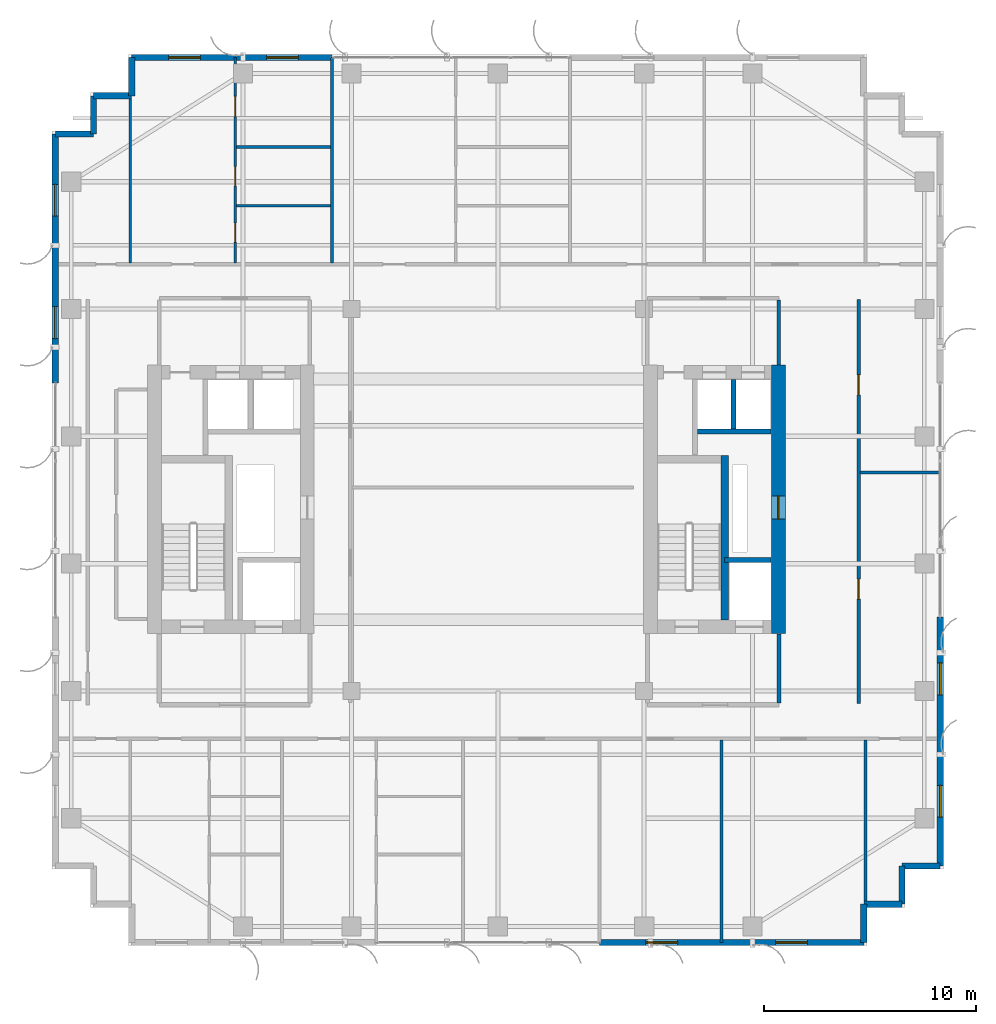
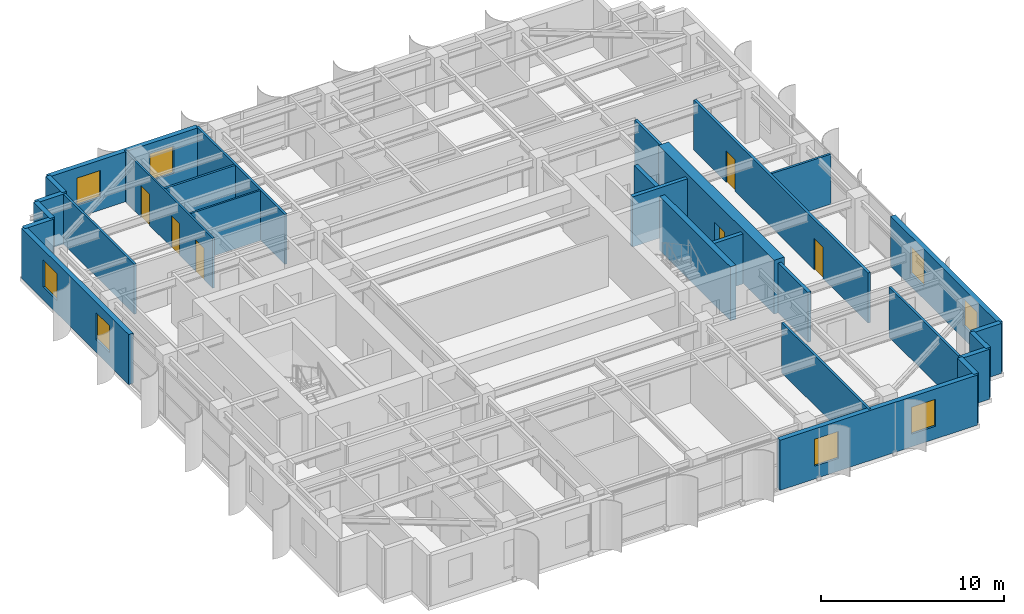
# One storey, part 18 of 22: 28 walls, 8 windows, 6 doors, 14 openings.
"""IFC4 building model written with IfcOpenShell, lengths in metres."""

from ifc_helpers import new_model, si_unit, direction, frame, frame_2d, origin, place, context, subcontext, project, spatial, rectangle, extrude, source, transform, mapped, material, layer, layer_set, type_object, element, fill, save


model = new_model("IFC4")

# Units and contexts
model_context = context("Model", 3, precision=1e-05, world=origin(), true_north=direction((0.0, 1.0)))
body_context = subcontext(model_context, "Body", "Model", "MODEL_VIEW")
ifc_project = project(units=[si_unit("LENGTHUNIT", "METRE"), si_unit("AREAUNIT", "SQUARE_METRE"), si_unit("VOLUMEUNIT", "CUBIC_METRE"), si_unit("PLANEANGLEUNIT", "RADIAN"), si_unit("MASSUNIT", "GRAM", prefix="KILO")], contexts=[model_context])

# Site, building, storey
site_placement = place(None, origin())
site = spatial("IfcSite", under=ifc_project, at=site_placement, CompositionType="ELEMENT")
building_placement = place(site_placement, origin())
building = spatial("IfcBuilding", under=site, at=building_placement, Name="Khoralis Quay Care Tower", CompositionType="ELEMENT")
storey_placement = place(building_placement, frame((0.0, 0.0, 170.10009765625)))
storey = spatial("IfcBuildingStorey", under=building, at=storey_placement, Name="L44", CompositionType="ELEMENT", Elevation=170.10009765625)

# Wall
ifc_material_1 = material(Name="Gypsum plasterboard on acoustic metal stud")
ifc_layer_1 = layer(ifc_material_1, 0.199951171875)
ifc_layer_set_1 = layer_set([ifc_layer_1], Name="Gypsum plasterboard on acoustic metal stud")
wall_type_1 = type_object("IfcWallType", Name="WL-COMP-200", PredefinedType="PARTITIONING", material=ifc_layer_set_1)
wall_1_placement = place(storey_placement, frame((37.25, 11.445068359375, 0.0), z_axis=(0.0, 0.0, 1.0), x_axis=(0.0, 1.0, 0.0)))
element("IfcWall", 1, at=wall_1_placement, inside=storey, type_object=wall_type_1, Name="L44 East Firefighting Lobby East Wall", PredefinedType="PARTITIONING", context=body_context, shape_type="SweptSolid", body=[
    extrude(rectangle(XDim=3.23486328125, YDim=0.199951171875, at=frame_2d((1.617431640625, 0.0))), origin(), (0.0, 0.0, 1.0), 3.33984375),
])

# Wall, opening, door
ifc_material_2 = material(Name="Concrete C65/80", Category="concrete")
ifc_layer_2 = layer(ifc_material_2, 0.64990234375)
ifc_layer_set_2 = layer_set([ifc_layer_2], Name="Concrete C65/80")
wall_type_2 = type_object("IfcWallType", Name="WL-CORE-650", PredefinedType="SHEAR", material=ifc_layer_set_2)
wall_2_placement = place(storey_placement, frame((37.22509765625, 14.699951171875, 0.0), z_axis=(0.0, 0.0, 1.0), x_axis=(0.0, 1.0, 0.0)))
wall_2 = element("IfcWall", 2, at=wall_2_placement, inside=storey, type_object=wall_type_2, Name="L44 ECORE East Shear Wall", PredefinedType="SHEAR", context=body_context, shape_type="SweptSolid", body=[
    extrude(rectangle(XDim=12.650146484375, YDim=0.64990234375, at=frame_2d((6.3251953125, 0.0))), origin(), (0.0, 0.0, 1.0), 3.599853515625),
])
opening_1_placement = place(wall_2_placement, frame((5.39990234375, 0.0, 0.0)))
opening_1 = element("IfcOpeningElement", 3, at=opening_1_placement, cuts=wall_2, Name="Opening SD1", PredefinedType="OPENING", context=body_context, shape_type="SweptSolid", body=[
    extrude(rectangle(XDim=1.10009765625, YDim=2.199951171875, at=frame_2d((0.550048828125, 1.10009765625))), frame((0.0, 0.3349609375, 0.0), z_axis=(0.0, -1.0, 0.0), x_axis=(1.0, 0.0, 0.0)), (0.0, 0.0, 1.0), 0.669921875),
])
ifc_material_3 = material(Name="Fire-rated painted steel", Category="steel")
door_type_1 = type_object("IfcDoorType", Name="DR-STAIR-1100X2200", OperationType="NOTDEFINED", PredefinedType="DOOR", material=ifc_material_3)
shared_shape_1 = source(origin(), body_context, "Body", "SweptSolid", [
    extrude(rectangle(XDim=1.10009765625, YDim=2.199951171875, at=frame_2d((0.550048828125, 1.10009765625))), frame((0.0, 0.02490234375, 0.0), z_axis=(0.0, -1.0, 0.0), x_axis=(1.0, 0.0, 0.0)), (0.0, 0.0, 1.0), 0.050048828125),
])
door_1_placement = place(opening_1_placement, frame((1.10009765625, 0.0, 0.0), z_axis=(0.0, 0.0, 1.0), x_axis=(-1.0, 0.0, 0.0)))
door_1 = element("IfcDoor", 4, at=door_1_placement, inside=storey, type_object=door_type_1, Name="L44 East MEP Riser Door", OperationType="SINGLE_SWING_LEFT", OverallHeight=2.199951171875, OverallWidth=1.10009765625, PredefinedType="DOOR", context=body_context, shape_type="MappedRepresentation", body=[
    mapped(shared_shape_1, transform((0.0, 0.0, 0.0), scale=1.0)),
])
fill(opening_1, door_1)

# Wall
ifc_layer_3 = layer(ifc_material_1, 0.1650390625)
ifc_layer_set_3 = layer_set([ifc_layer_3], Name="Gypsum plasterboard on acoustic metal stud")
wall_type_3 = type_object("IfcWallType", Name="WL-CORR-165", PredefinedType="PARTITIONING", material=ifc_layer_set_3)
wall_3_placement = place(storey_placement, frame((37.25, 27.3701171875, 0.0), z_axis=(0.0, 0.0, 1.0), x_axis=(0.0, 1.0, 0.0)))
element("IfcWall", 5, at=wall_3_placement, inside=storey, type_object=wall_type_3, Name="L44 East Lift Lobby East Wall", PredefinedType="PARTITIONING", context=body_context, shape_type="SweptSolid", body=[
    extrude(rectangle(XDim=3.052490234375, YDim=0.1650390625, at=frame_2d((1.5263671875, 0.0))), origin(), (0.0, 0.0, 1.0), 3.33984375),
])

# Wall, openings, doors
wall_4_placement = place(storey_placement, frame((41.0, 11.39990234375, 0.0), z_axis=(0.0, 0.0, 1.0), x_axis=(0.0, 1.0, 0.0)))
wall_4 = element("IfcWall", 6, at=wall_4_placement, inside=storey, type_object=wall_type_3, Name="L44 East Gallery Wall", PredefinedType="PARTITIONING", context=body_context, shape_type="SweptSolid", body=[
    extrude(rectangle(XDim=19.050048828125, YDim=0.1650390625, at=frame_2d((9.52490234375, 0.0))), origin(), (0.0, 0.0, 1.0), 3.33984375),
])
opening_2_placement = place(wall_4_placement, frame((4.925048828125, 0.0, 0.0)))
opening_2 = element("IfcOpeningElement", 7, at=opening_2_placement, cuts=wall_4, Name="Opening ID1", PredefinedType="OPENING", context=body_context, shape_type="SweptSolid", body=[
    extrude(rectangle(XDim=0.949951171875, YDim=2.10009765625, at=frame_2d((0.47509765625, 1.050048828125))), frame((0.0, 0.092529296875, 0.0), z_axis=(0.0, -1.0, 0.0), x_axis=(1.0, 0.0, 0.0)), (0.0, 0.0, 1.0), 0.18505859375),
])
opening_3_placement = place(wall_4_placement, frame((14.550048828125, 0.0, 0.0)))
opening_3 = element("IfcOpeningElement", 8, at=opening_3_placement, cuts=wall_4, Name="Opening ID1", PredefinedType="OPENING", context=body_context, shape_type="SweptSolid", body=[
    extrude(rectangle(XDim=0.949951171875, YDim=2.10009765625, at=frame_2d((0.47509765625, 1.050048828125))), frame((0.0, 0.092529296875, 0.0), z_axis=(0.0, -1.0, 0.0), x_axis=(1.0, 0.0, 0.0)), (0.0, 0.0, 1.0), 0.18505859375),
])
ifc_material_4 = material(Name="Acoustic hardwood timber", Category="wood")
door_type_2 = type_object("IfcDoorType", Name="DR-ROOM-950X2100", OperationType="NOTDEFINED", PredefinedType="DOOR", material=ifc_material_4)
shared_shape_2 = source(origin(), body_context, "Body", "SweptSolid", [
    extrude(rectangle(XDim=0.949951171875, YDim=2.10009765625, at=frame_2d((0.47509765625, 1.050048828125))), frame((0.0, 0.02490234375, 0.0), z_axis=(0.0, -1.0, 0.0), x_axis=(1.0, 0.0, 0.0)), (0.0, 0.0, 1.0), 0.050048828125),
])
door_2_placement = place(opening_2_placement, origin())
door_2 = element("IfcDoor", 9, at=door_2_placement, inside=storey, type_object=door_type_2, Name="L44 East Clinic Door", OperationType="SINGLE_SWING_LEFT", OverallHeight=2.10009765625, OverallWidth=0.949951171875, PredefinedType="DOOR", context=body_context, shape_type="MappedRepresentation", body=[
    mapped(shared_shape_2, transform((0.0, 0.0, 0.0), scale=1.0)),
])
fill(opening_2, door_2)
door_3_placement = place(opening_3_placement, origin())
door_3 = element("IfcDoor", 10, at=door_3_placement, inside=storey, type_object=door_type_2, Name="L44 East Lounge Door", OperationType="SINGLE_SWING_RIGHT", OverallHeight=2.10009765625, OverallWidth=0.949951171875, PredefinedType="DOOR", context=body_context, shape_type="MappedRepresentation", body=[
    mapped(shared_shape_2, transform((0.0, 0.0, 0.0), scale=1.0)),
])
fill(opening_3, door_3)

# Wall, openings, windows
ifc_material_5 = material(Name="Precast concrete C45/55", Category="concrete")
ifc_layer_4 = layer(ifc_material_5, 0.300048828125)
ifc_layer_set_4 = layer_set([ifc_layer_4], Name="Precast concrete C45/55")
wall_type_4 = type_object("IfcWallType", Name="WL-EXT-REF-300", PredefinedType="SOLIDWALL", material=ifc_layer_set_4)
wall_5_placement = place(storey_placement, frame((28.800048828125, 0.14990234375, 0.0), z_axis=(0.0, 0.0, 1.0), x_axis=(1.0, 0.0, 0.0)))
wall_5 = element("IfcWall", 11, at=wall_5_placement, inside=storey, type_object=wall_type_4, Name="L44 External Facade Wall WL-EXT-L44-P1-E0B", PredefinedType="SOLIDWALL", context=body_context, shape_type="SweptSolid", body=[
    extrude(rectangle(XDim=12.449951171875, YDim=0.300048828125, at=frame_2d((6.22509765625, 0.0))), origin(), (0.0, 0.0, 1.0), 3.33984375),
])
opening_4_placement = place(wall_5_placement, frame((2.169921875, 0.0, 0.85009765625)))
opening_4 = element("IfcOpeningElement", 12, at=opening_4_placement, cuts=wall_5, Name="Opening W3", PredefinedType="OPENING", context=body_context, shape_type="SweptSolid", body=[
    extrude(rectangle(XDim=1.5, YDim=1.800048828125, at=frame_2d((0.75, 0.89990234375))), frame((0.0, 0.16015625, 0.0), z_axis=(0.0, -1.0, 0.0), x_axis=(1.0, 0.0, 0.0)), (0.0, 0.0, 1.0), 0.320068359375),
])
opening_5_placement = place(wall_5_placement, frame((8.294921875, 0.0, 0.85009765625)))
opening_5 = element("IfcOpeningElement", 13, at=opening_5_placement, cuts=wall_5, Name="Opening W3", PredefinedType="OPENING", context=body_context, shape_type="SweptSolid", body=[
    extrude(rectangle(XDim=1.5, YDim=1.800048828125, at=frame_2d((0.75, 0.89990234375))), frame((0.0, 0.16015625, 0.0), z_axis=(0.0, -1.0, 0.0), x_axis=(1.0, 0.0, 0.0)), (0.0, 0.0, 1.0), 0.320068359375),
])
ifc_material_6 = material(Name="Low-E solar-control double glazing", Category="glass")
window_type = type_object("IfcWindowType", Name="WN-CLIN-1500X1800", PartitioningType="SINGLE_PANEL", PredefinedType="WINDOW", material=ifc_material_6)
shared_shape_3 = source(origin(), body_context, "Body", "SweptSolid", [
    extrude(rectangle(XDim=1.5, YDim=1.800048828125, at=frame_2d((0.75, 0.89990234375))), frame((0.0, 0.030029296875, 0.0), z_axis=(0.0, -1.0, 0.0), x_axis=(1.0, 0.0, 0.0)), (0.0, 0.0, 1.0), 0.06005859375),
])
window_1_placement = place(opening_4_placement, origin())
window_1 = element("IfcWindow", 14, at=window_1_placement, inside=storey, type_object=window_type, Name="WN-L44-P1-E0B Facade Window 01", OverallHeight=1.800048828125, OverallWidth=1.5, PartitioningType="SINGLE_PANEL", PredefinedType="WINDOW", context=body_context, shape_type="MappedRepresentation", body=[
    mapped(shared_shape_3, transform((0.0, 0.0, 0.0), scale=1.0)),
])
fill(opening_4, window_1)
window_2_placement = place(opening_5_placement, origin())
window_2 = element("IfcWindow", 15, at=window_2_placement, inside=storey, type_object=window_type, Name="WN-L44-P1-E0B Facade Window 02", OverallHeight=1.800048828125, OverallWidth=1.5, PartitioningType="SINGLE_PANEL", PredefinedType="WINDOW", context=body_context, shape_type="MappedRepresentation", body=[
    mapped(shared_shape_3, transform((0.0, 0.0, 0.0), scale=1.0)),
])
fill(opening_5, window_2)

# Walls
for number, where, z_axis, x_axis, name in (
    (16, (41.25, 0.14990234375, 0.0), (0.0, 0.0, 1.0), (0.0, 1.0, 0.0), "L44 External Facade Wall WL-EXT-L44-P1-C1"),
    (17, (41.25, 1.949951171875, 0.0), (0.0, 0.0, 1.0), (1.0, 0.0, 0.0), "L44 External Facade Wall WL-EXT-L44-P1-C2"),
    (18, (43.050048828125, 1.949951171875, 0.0), (0.0, 0.0, 1.0), (0.0, 1.0, 0.0), "L44 External Facade Wall WL-EXT-L44-P1-C3"),
    (19, (43.050048828125, 3.75, 0.0), (0.0, 0.0, 1.0), (1.0, 0.0, 0.0), "L44 External Facade Wall WL-EXT-L44-P1-C4"),
):
    element("IfcWall", number, at=place(storey_placement, frame(where, z_axis=z_axis, x_axis=x_axis)), inside=storey, type_object=wall_type_4, Name=name, PredefinedType="SOLIDWALL", context=body_context, shape_type="SweptSolid", body=[
        extrude(rectangle(XDim=1.800048828125, YDim=0.300048828125, at=frame_2d((0.89990234375, 0.0))), origin(), (0.0, 0.0, 1.0), 3.33984375),
    ])

# Wall, openings, windows
wall_6_placement = place(storey_placement, frame((44.85009765625, 3.75, 0.0), z_axis=(0.0, 0.0, 1.0), x_axis=(0.0, 1.0, 0.0)))
wall_6 = element("IfcWall", 20, at=wall_6_placement, inside=storey, type_object=wall_type_4, Name="L44 External Facade Wall WL-EXT-L44-P1-E5A", PredefinedType="SOLIDWALL", context=body_context, shape_type="SweptSolid", body=[
    extrude(rectangle(XDim=11.72998046875, YDim=0.300048828125, at=frame_2d((5.864990234375, 0.0))), origin(), (0.0, 0.0, 1.0), 3.33984375),
])
opening_6_placement = place(wall_6_placement, frame((2.304931640625, 0.0, 0.85009765625)))
opening_6 = element("IfcOpeningElement", 21, at=opening_6_placement, cuts=wall_6, Name="Opening W3", PredefinedType="OPENING", context=body_context, shape_type="SweptSolid", body=[
    extrude(rectangle(XDim=1.5, YDim=1.800048828125, at=frame_2d((0.75, 0.89990234375))), frame((0.0, 0.16015625, 0.0), z_axis=(0.0, -1.0, 0.0), x_axis=(1.0, 0.0, 0.0)), (0.0, 0.0, 1.0), 0.320068359375),
])
opening_7_placement = place(wall_6_placement, frame((8.070068359375, 0.0, 0.85009765625)))
opening_7 = element("IfcOpeningElement", 22, at=opening_7_placement, cuts=wall_6, Name="Opening W3", PredefinedType="OPENING", context=body_context, shape_type="SweptSolid", body=[
    extrude(rectangle(XDim=1.5, YDim=1.800048828125, at=frame_2d((0.75, 0.89990234375))), frame((0.0, 0.16015625, 0.0), z_axis=(0.0, -1.0, 0.0), x_axis=(1.0, 0.0, 0.0)), (0.0, 0.0, 1.0), 0.320068359375),
])
window_3_placement = place(opening_6_placement, origin())
window_3 = element("IfcWindow", 23, at=window_3_placement, inside=storey, type_object=window_type, Name="WN-L44-P1-E5A Facade Window 01", OverallHeight=1.800048828125, OverallWidth=1.5, PartitioningType="SINGLE_PANEL", PredefinedType="WINDOW", context=body_context, shape_type="MappedRepresentation", body=[
    mapped(shared_shape_3, transform((0.0, 0.0, 0.0), scale=1.0)),
])
fill(opening_6, window_3)
window_4_placement = place(opening_7_placement, origin())
window_4 = element("IfcWindow", 24, at=window_4_placement, inside=storey, type_object=window_type, Name="WN-L44-P1-E5A Facade Window 02", OverallHeight=1.800048828125, OverallWidth=1.5, PartitioningType="SINGLE_PANEL", PredefinedType="WINDOW", context=body_context, shape_type="MappedRepresentation", body=[
    mapped(shared_shape_3, transform((0.0, 0.0, 0.0), scale=1.0)),
])
fill(opening_7, window_4)

wall_7_placement = place(storey_placement, frame((16.18994140625, 41.85009765625, 0.0), z_axis=(0.0, 0.0, 1.0), x_axis=(-1.0, 0.0, 0.0)))
wall_7 = element("IfcWall", 25, at=wall_7_placement, inside=storey, type_object=wall_type_4, Name="L44 External Facade Wall WL-EXT-L44-P1-E10B", PredefinedType="SOLIDWALL", context=body_context, shape_type="SweptSolid", body=[
    extrude(rectangle(XDim=9.43994140625, YDim=0.300048828125, at=frame_2d((4.719970703125, 0.0))), origin(), (0.0, 0.0, 1.0), 3.33984375),
])
opening_8_placement = place(wall_7_placement, frame((1.58251953125, 0.0, 0.85009765625)))
opening_8 = element("IfcOpeningElement", 26, at=opening_8_placement, cuts=wall_7, Name="Opening W3", PredefinedType="OPENING", context=body_context, shape_type="SweptSolid", body=[
    extrude(rectangle(XDim=1.5, YDim=1.800048828125, at=frame_2d((0.75, 0.89990234375))), frame((0.0, 0.16015625, 0.0), z_axis=(0.0, -1.0, 0.0), x_axis=(1.0, 0.0, 0.0)), (0.0, 0.0, 1.0), 0.320068359375),
])
opening_9_placement = place(wall_7_placement, frame((6.202392578125, 0.0, 0.85009765625)))
opening_9 = element("IfcOpeningElement", 27, at=opening_9_placement, cuts=wall_7, Name="Opening W3", PredefinedType="OPENING", context=body_context, shape_type="SweptSolid", body=[
    extrude(rectangle(XDim=1.5, YDim=1.800048828125, at=frame_2d((0.75, 0.89990234375))), frame((0.0, 0.16015625, 0.0), z_axis=(0.0, -1.0, 0.0), x_axis=(1.0, 0.0, 0.0)), (0.0, 0.0, 1.0), 0.320068359375),
])
window_5_placement = place(opening_8_placement, origin())
window_5 = element("IfcWindow", 28, at=window_5_placement, inside=storey, type_object=window_type, Name="WN-L44-P1-E10B Facade Window 01", OverallHeight=1.800048828125, OverallWidth=1.5, PartitioningType="SINGLE_PANEL", PredefinedType="WINDOW", context=body_context, shape_type="MappedRepresentation", body=[
    mapped(shared_shape_3, transform((0.0, 0.0, 0.0), scale=1.0)),
])
fill(opening_8, window_5)
window_6_placement = place(opening_9_placement, origin())
window_6 = element("IfcWindow", 29, at=window_6_placement, inside=storey, type_object=window_type, Name="WN-L44-P1-E10B Facade Window 02", OverallHeight=1.800048828125, OverallWidth=1.5, PartitioningType="SINGLE_PANEL", PredefinedType="WINDOW", context=body_context, shape_type="MappedRepresentation", body=[
    mapped(shared_shape_3, transform((0.0, 0.0, 0.0), scale=1.0)),
])
fill(opening_9, window_6)

# Walls
for number, where, z_axis, x_axis, name in (
    (30, (6.75, 41.85009765625, 0.0), (0.0, 0.0, 1.0), (0.0, -1.0, 0.0), "L44 External Facade Wall WL-EXT-L44-P1-C11"),
    (31, (6.75, 40.050048828125, 0.0), (0.0, 0.0, 1.0), (-1.0, 0.0, 0.0), "L44 External Facade Wall WL-EXT-L44-P1-C12"),
    (32, (4.949951171875, 40.050048828125, 0.0), (0.0, 0.0, 1.0), (0.0, -1.0, 0.0), "L44 External Facade Wall WL-EXT-L44-P1-C13"),
    (33, (4.949951171875, 38.25, 0.0), (0.0, 0.0, 1.0), (-1.0, 0.0, 0.0), "L44 External Facade Wall WL-EXT-L44-P1-C14"),
):
    element("IfcWall", number, at=place(storey_placement, frame(where, z_axis=z_axis, x_axis=x_axis)), inside=storey, type_object=wall_type_4, Name=name, PredefinedType="SOLIDWALL", context=body_context, shape_type="SweptSolid", body=[
        extrude(rectangle(XDim=1.800048828125, YDim=0.300048828125, at=frame_2d((0.89990234375, 0.0))), origin(), (0.0, 0.0, 1.0), 3.33984375),
    ])

# Wall, openings, windows
wall_8_placement = place(storey_placement, frame((3.14990234375, 38.25, 0.0), z_axis=(0.0, 0.0, 1.0), x_axis=(0.0, -1.0, 0.0)))
wall_8 = element("IfcWall", 34, at=wall_8_placement, inside=storey, type_object=wall_type_4, Name="L44 External Facade Wall WL-EXT-L44-P1-E15A", PredefinedType="SOLIDWALL", context=body_context, shape_type="SweptSolid", body=[
    extrude(rectangle(XDim=11.72998046875, YDim=0.300048828125, at=frame_2d((5.864990234375, 0.0))), origin(), (0.0, 0.0, 1.0), 3.33984375),
])
opening_10_placement = place(wall_8_placement, frame((2.375, 0.0, 0.85009765625)))
opening_10 = element("IfcOpeningElement", 35, at=opening_10_placement, cuts=wall_8, Name="Opening W3", PredefinedType="OPENING", context=body_context, shape_type="SweptSolid", body=[
    extrude(rectangle(XDim=1.5, YDim=1.800048828125, at=frame_2d((0.75, 0.89990234375))), frame((0.0, 0.16015625, 0.0), z_axis=(0.0, -1.0, 0.0), x_axis=(1.0, 0.0, 0.0)), (0.0, 0.0, 1.0), 0.320068359375),
])
opening_11_placement = place(wall_8_placement, frame((8.139892578125, 0.0, 0.85009765625)))
opening_11 = element("IfcOpeningElement", 36, at=opening_11_placement, cuts=wall_8, Name="Opening W3", PredefinedType="OPENING", context=body_context, shape_type="SweptSolid", body=[
    extrude(rectangle(XDim=1.5, YDim=1.800048828125, at=frame_2d((0.75, 0.89990234375))), frame((0.0, 0.16015625, 0.0), z_axis=(0.0, -1.0, 0.0), x_axis=(1.0, 0.0, 0.0)), (0.0, 0.0, 1.0), 0.320068359375),
])
window_7_placement = place(opening_10_placement, origin())
window_7 = element("IfcWindow", 37, at=window_7_placement, inside=storey, type_object=window_type, Name="WN-L44-P1-E15A Facade Window 01", OverallHeight=1.800048828125, OverallWidth=1.5, PartitioningType="SINGLE_PANEL", PredefinedType="WINDOW", context=body_context, shape_type="MappedRepresentation", body=[
    mapped(shared_shape_3, transform((0.0, 0.0, 0.0), scale=1.0)),
])
fill(opening_10, window_7)
window_8_placement = place(opening_11_placement, origin())
window_8 = element("IfcWindow", 38, at=window_8_placement, inside=storey, type_object=window_type, Name="WN-L44-P1-E15A Facade Window 02", OverallHeight=1.800048828125, OverallWidth=1.5, PartitioningType="SINGLE_PANEL", PredefinedType="WINDOW", context=body_context, shape_type="MappedRepresentation", body=[
    mapped(shared_shape_3, transform((0.0, 0.0, 0.0), scale=1.0)),
])
fill(opening_11, window_8)

# Wall, openings, doors
ifc_layer_5 = layer(ifc_material_1, 0.114990234375)
ifc_layer_set_5 = layer_set([ifc_layer_5], Name="Gypsum plasterboard on acoustic metal stud")
wall_type_5 = type_object("IfcWallType", Name="WL-PART-115", PredefinedType="PARTITIONING", material=ifc_layer_set_5)
wall_9_placement = place(storey_placement, frame((11.625, 32.177490234375, 0.0), z_axis=(0.0, 0.0, 1.0), x_axis=(0.0, 1.0, 0.0)))
wall_9 = element("IfcWall", 39, at=wall_9_placement, inside=storey, type_object=wall_type_5, Name="L44 Unit 0 Internal Wall", PredefinedType="PARTITIONING", context=body_context, shape_type="SweptSolid", body=[
    extrude(rectangle(XDim=9.677490234375, YDim=0.114990234375, at=frame_2d((4.8388671875, 0.0))), origin(), (0.0, 0.0, 1.0), 3.33984375),
])
opening_12_placement = place(wall_9_placement, frame((6.89453125, 0.0, 0.0)))
opening_12 = element("IfcOpeningElement", 40, at=opening_12_placement, cuts=wall_9, Name="Opening ID1", PredefinedType="OPENING", context=body_context, shape_type="SweptSolid", body=[
    extrude(rectangle(XDim=0.949951171875, YDim=2.10009765625, at=frame_2d((0.47509765625, 1.050048828125))), frame((0.0, 0.0673828125, 0.0), z_axis=(0.0, -1.0, 0.0), x_axis=(1.0, 0.0, 0.0)), (0.0, 0.0, 1.0), 0.135009765625),
])
opening_13_placement = place(wall_9_placement, frame((3.630615234375, 0.0, 0.0)))
opening_13 = element("IfcOpeningElement", 41, at=opening_13_placement, cuts=wall_9, Name="Opening WD1", PredefinedType="OPENING", context=body_context, shape_type="SweptSolid", body=[
    extrude(rectangle(XDim=0.89990234375, YDim=2.10009765625, at=frame_2d((0.449951171875, 1.050048828125))), frame((0.0, 0.0673828125, 0.0), z_axis=(0.0, -1.0, 0.0), x_axis=(1.0, 0.0, 0.0)), (0.0, 0.0, 1.0), 0.135009765625),
])
opening_14_placement = place(wall_9_placement, frame((0.973388671875, 0.0, 0.0)))
opening_14 = element("IfcOpeningElement", 42, at=opening_14_placement, cuts=wall_9, Name="Opening WD1", PredefinedType="OPENING", context=body_context, shape_type="SweptSolid", body=[
    extrude(rectangle(XDim=0.89990234375, YDim=2.10009765625, at=frame_2d((0.449951171875, 1.050048828125))), frame((0.0, 0.0673828125, 0.0), z_axis=(0.0, -1.0, 0.0), x_axis=(1.0, 0.0, 0.0)), (0.0, 0.0, 1.0), 0.135009765625),
])
door_type_3 = type_object("IfcDoorType", Name="DR-BATH-900X2100", OperationType="NOTDEFINED", PredefinedType="DOOR", material=ifc_material_4)
shared_shape_4 = source(origin(), body_context, "Body", "SweptSolid", [
    extrude(rectangle(XDim=0.89990234375, YDim=2.10009765625, at=frame_2d((0.449951171875, 1.050048828125))), frame((0.0, 0.02490234375, 0.0), z_axis=(0.0, -1.0, 0.0), x_axis=(1.0, 0.0, 0.0)), (0.0, 0.0, 1.0), 0.050048828125),
])
door_4_placement = place(opening_13_placement, frame((0.89990234375, 0.0, 0.0), z_axis=(0.0, 0.0, 1.0), x_axis=(-1.0, 0.0, 0.0)))
door_4 = element("IfcDoor", 43, at=door_4_placement, inside=storey, type_object=door_type_3, Name="L44 Apartment NB0 KIT Door", OperationType="SINGLE_SWING_RIGHT", OverallHeight=2.10009765625, OverallWidth=0.89990234375, PredefinedType="DOOR", context=body_context, shape_type="MappedRepresentation", body=[
    mapped(shared_shape_4, transform((0.0, 0.0, 0.0), scale=1.0)),
])
fill(opening_13, door_4)
door_5_placement = place(opening_14_placement, frame((0.89990234375, 0.0, 0.0), z_axis=(0.0, 0.0, 1.0), x_axis=(-1.0, 0.0, 0.0)))
door_5 = element("IfcDoor", 44, at=door_5_placement, inside=storey, type_object=door_type_3, Name="L44 Apartment NB0 BTH Door", OperationType="SINGLE_SWING_LEFT", OverallHeight=2.10009765625, OverallWidth=0.89990234375, PredefinedType="DOOR", context=body_context, shape_type="MappedRepresentation", body=[
    mapped(shared_shape_4, transform((0.0, 0.0, 0.0), scale=1.0)),
])
fill(opening_14, door_5)
door_6_placement = place(opening_12_placement, frame((0.949951171875, 0.0, 0.0), z_axis=(0.0, 0.0, 1.0), x_axis=(-1.0, 0.0, 0.0)))
door_6 = element("IfcDoor", 45, at=door_6_placement, inside=storey, type_object=door_type_2, Name="L44 Apartment NB0 BED Door", OperationType="SINGLE_SWING_LEFT", OverallHeight=2.10009765625, OverallWidth=0.949951171875, PredefinedType="DOOR", context=body_context, shape_type="MappedRepresentation", body=[
    mapped(shared_shape_2, transform((0.0, 0.0, 0.0), scale=1.0)),
])
fill(opening_12, door_6)

# Walls
wall_10_placement = place(storey_placement, frame((11.677490234375, 34.8720703125, 0.0), z_axis=(0.0, 0.0, 1.0), x_axis=(1.0, 0.0, 0.0)))
element("IfcWall", 46, at=wall_10_placement, inside=storey, type_object=wall_type_5, Name="L44 Unit 0 Kitchen Wall", PredefinedType="PARTITIONING", context=body_context, shape_type="SweptSolid", body=[
    extrude(rectangle(XDim=4.447509765625, YDim=0.114990234375, at=frame_2d((2.2236328125, 0.0))), origin(), (0.0, 0.0, 1.0), 3.33984375),
])
ifc_material_7 = material(Name="Moisture-resistant gypsum and ceramic tile")
ifc_layer_6 = layer(ifc_material_7, 0.280029296875)
ifc_layer_set_6 = layer_set([ifc_layer_6], Name="Moisture-resistant gypsum and ceramic tile")
wall_type_6 = type_object("IfcWallType", Name="WL-PLUMB-280", PredefinedType="PLUMBINGWALL", material=ifc_layer_set_6)
wall_11_placement = place(storey_placement, frame((11.677490234375, 37.64404296875, 0.0), z_axis=(0.0, 0.0, 1.0), x_axis=(1.0, 0.0, 0.0)))
element("IfcWall", 47, at=wall_11_placement, inside=storey, type_object=wall_type_6, Name="L44 Unit 0 Wet Wall", PredefinedType="PLUMBINGWALL", context=body_context, shape_type="SweptSolid", body=[
    extrude(rectangle(XDim=4.447509765625, YDim=0.139892578125, at=frame_2d((2.2236328125, 0.0))), origin(), (0.0, 0.0, 1.0), 3.33984375),
])
ifc_material_8 = material(Name="Concrete C40/50", Category="concrete")
ifc_layer_7 = layer(ifc_material_8, 0.35009765625)
ifc_layer_set_7 = layer_set([ifc_layer_7], Name="Concrete C40/50")
wall_type_7 = type_object("IfcWallType", Name="WL-SC-CORE-350", PredefinedType="SHEAR", material=ifc_layer_set_7)
wall_12_placement = place(storey_placement, frame((34.695068359375, 15.35009765625, 0.0), z_axis=(0.0, 0.0, 1.0), x_axis=(0.0, 1.0, 0.0)))
element("IfcWall", 48, at=wall_12_placement, inside=storey, type_object=wall_type_7, Name="L44 Stair ST-T2 Shear Baffle Wall East", PredefinedType="SHEAR", context=body_context, shape_type="SweptSolid", body=[
    extrude(rectangle(XDim=7.75, YDim=0.35009765625, at=frame_2d((3.875, 0.0))), origin(), (0.0, 0.0, 1.0), 3.599853515625),
])
ifc_layer_8 = layer(ifc_material_1, 0.239990234375)
ifc_layer_set_8 = layer_set([ifc_layer_8], Name="Gypsum plasterboard on acoustic metal stud")
wall_type_8 = type_object("IfcWallType", Name="WL-SHAFT-240", PredefinedType="PARTITIONING", material=ifc_layer_set_8)
wall_13_placement = place(storey_placement, frame((34.679931640625, 18.169921875, 0.0), z_axis=(0.0, 0.0, 1.0), x_axis=(1.0, 0.0, 0.0)))
element("IfcWall", 49, at=wall_13_placement, inside=storey, type_object=wall_type_8, Name="L44 FFL-2 Shaft Wall North", PredefinedType="PARTITIONING", context=body_context, shape_type="SweptSolid", body=[
    extrude(rectangle(XDim=2.199951171875, YDim=0.239990234375, at=frame_2d((1.10009765625, 0.0))), origin(), (0.0, 0.0, 1.0), 3.33984375),
])
wall_14_placement = place(storey_placement, frame((33.405029296875, 24.22998046875, 0.0), z_axis=(0.0, 0.0, 1.0), x_axis=(1.0, 0.0, 0.0)))
element("IfcWall", 50, at=wall_14_placement, inside=storey, type_object=wall_type_8, Name="L44 Active Shaft South Wall East", PredefinedType="PARTITIONING", context=body_context, shape_type="SweptSolid", body=[
    extrude(rectangle(XDim=3.474853515625, YDim=0.239990234375, at=frame_2d((1.7373046875, 0.0))), origin(), (0.0, 0.0, 1.0), 3.33984375),
])
wall_15_placement = place(storey_placement, frame((35.110107421875, 24.344970703125, 0.0), z_axis=(0.0, 0.0, 1.0), x_axis=(0.0, 1.0, 0.0)))
element("IfcWall", 51, at=wall_15_placement, inside=storey, type_object=wall_type_8, Name="L44 East Shaft Divider 2", PredefinedType="PARTITIONING", context=body_context, shape_type="SweptSolid", body=[
    extrude(rectangle(XDim=2.3349609375, YDim=0.239990234375, at=frame_2d((1.16748046875, 0.0))), origin(), (0.0, 0.0, 1.0), 3.33984375),
])
ifc_layer_9 = layer(ifc_material_1, 0.139892578125)
ifc_layer_set_9 = layer_set([ifc_layer_9], Name="Gypsum plasterboard on acoustic metal stud")
wall_type_9 = type_object("IfcWallType", Name="WL-UNIT-140", PredefinedType="PARTITIONING", material=ifc_layer_set_9)
wall_16_placement = place(storey_placement, frame((41.077392578125, 22.300048828125, 0.0), z_axis=(0.0, 0.0, 1.0), x_axis=(1.0, 0.0, 0.0)))
element("IfcWall", 52, at=wall_16_placement, inside=storey, type_object=wall_type_9, Name="L44 East Mid Split", PredefinedType="PARTITIONING", context=body_context, shape_type="SweptSolid", body=[
    extrude(rectangle(XDim=3.777587890625, YDim=0.139892578125, at=frame_2d((1.888671875, 0.0))), origin(), (0.0, 0.0, 1.0), 3.33984375),
])
wall_17_placement = place(storey_placement, frame((34.5400390625, 0.14501953125, 0.0), z_axis=(0.0, 0.0, 1.0), x_axis=(0.0, 1.0, 0.0)))
element("IfcWall", 53, at=wall_17_placement, inside=storey, type_object=wall_type_9, Name="L44 SB Demising Wall 4", PredefinedType="PARTITIONING", context=body_context, shape_type="SweptSolid", body=[
    extrude(rectangle(XDim=9.53759765625, YDim=0.139892578125, at=frame_2d((4.768798828125, 0.0))), origin(), (0.0, 0.0, 1.0), 3.33984375),
])
wall_18_placement = place(storey_placement, frame((41.320068359375, 1.945068359375, 0.0), z_axis=(0.0, 0.0, 1.0), x_axis=(0.0, 1.0, 0.0)))
element("IfcWall", 54, at=wall_18_placement, inside=storey, type_object=wall_type_9, Name="L44 SB Demising Wall 5", PredefinedType="PARTITIONING", context=body_context, shape_type="SweptSolid", body=[
    extrude(rectangle(XDim=7.737548828125, YDim=0.139892578125, at=frame_2d((3.86865234375, 0.0))), origin(), (0.0, 0.0, 1.0), 3.33984375),
])
wall_19_placement = place(storey_placement, frame((6.679931640625, 32.177490234375, 0.0), z_axis=(0.0, 0.0, 1.0), x_axis=(0.0, 1.0, 0.0)))
element("IfcWall", 55, at=wall_19_placement, inside=storey, type_object=wall_type_9, Name="L44 NB Demising Wall 0", PredefinedType="PARTITIONING", context=body_context, shape_type="SweptSolid", body=[
    extrude(rectangle(XDim=7.87744140625, YDim=0.139892578125, at=frame_2d((3.938720703125, 0.0))), origin(), (0.0, 0.0, 1.0), 3.33984375),
])
wall_20_placement = place(storey_placement, frame((16.18994140625, 32.177490234375, 0.0), z_axis=(0.0, 0.0, 1.0), x_axis=(0.0, 1.0, 0.0)))
element("IfcWall", 56, at=wall_20_placement, inside=storey, type_object=wall_type_9, Name="L44 NB Demising Wall 1", PredefinedType="PARTITIONING", context=body_context, shape_type="SweptSolid", body=[
    extrude(rectangle(XDim=9.677490234375, YDim=0.139892578125, at=frame_2d((4.8388671875, 0.0))), origin(), (0.0, 0.0, 1.0), 3.33984375),
])

save(model, "model.ifc")
